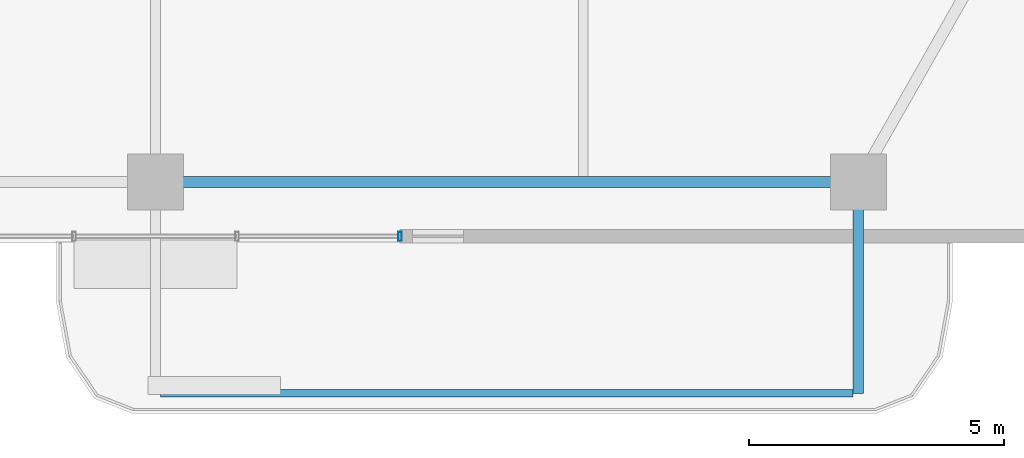
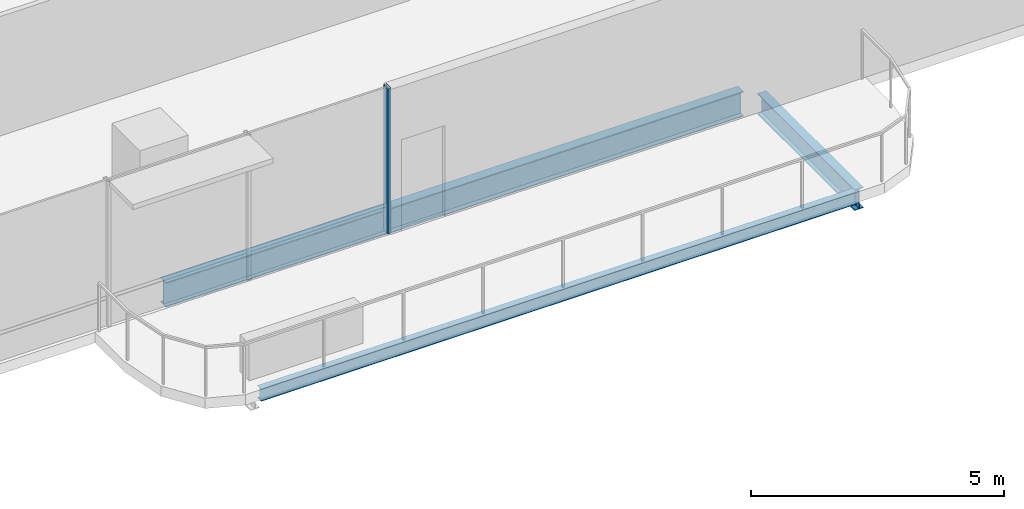
# One storey, part 6 of 24: 3 beams, 1 member, 1 element without a shape of its own.
"""IFC4 building model written with IfcOpenShell, lengths in metres."""

from ifc_helpers import new_model, si_unit, direction, frame, origin, origin_2d, place, context, subcontext, project, spatial, hollow_rectangle, i_section, extrude, material, layer, layer_set, material_profile, profile_set, type_object, element, aggregate, save


model = new_model("IFC4")

# Units and contexts
model_context = context("Model", 3, precision=1e-05, world=origin(), true_north=direction((0.0, 1.0)))
body_context = subcontext(model_context, "Body", "Model", "MODEL_VIEW")
ifc_project = project(units=[si_unit("LENGTHUNIT", "METRE"), si_unit("AREAUNIT", "SQUARE_METRE"), si_unit("VOLUMEUNIT", "CUBIC_METRE"), si_unit("PLANEANGLEUNIT", "RADIAN"), si_unit("MASSUNIT", "GRAM", prefix="KILO")], contexts=[model_context])

# Site, building, storey
site_placement = place(None, origin())
site = spatial("IfcSite", under=ifc_project, at=site_placement, CompositionType="ELEMENT")
building_placement = place(site_placement, origin())
building = spatial("IfcBuilding", under=site, at=building_placement, Name="Belovzor Exchange Tower", CompositionType="ELEMENT")
storey_placement = place(building_placement, frame((0.0, 0.0, 222.449951171875)))
storey = spatial("IfcBuildingStorey", under=building, at=storey_placement, Name="L55", CompositionType="ELEMENT", Elevation=222.449951171875)

# Beams
ifc_material_1 = material(Name="Steel S355", Category="steel")
ifc_material_profile_1 = material_profile(ifc_material_1, i_section(OverallWidth=0.199951171875, OverallDepth=0.5, WebThickness=0.01025390625, FlangeThickness=0.01611328125, at=origin_2d()))
ifc_profile_set_1 = profile_set([ifc_material_profile_1], Name="Steel S355")
beam_type_1 = type_object("IfcBeamType", Name="Planted Balcony Cantilever Beam IPE 500", PredefinedType="BEAM", material=ifc_profile_set_1)
beam_1_placement = place(storey_placement, frame((42.60009765625, 2.697021484375, -0.5), z_axis=(0.0, -1.0, 0.0), x_axis=(1.0, 0.0, 0.0)))
element("IfcBeam", 1, at=beam_1_placement, inside=storey, type_object=beam_type_1, Name="BC-500 Planted Balcony Cantilever Beam IPE 500", PredefinedType="BEAM", context=body_context, shape_type="SweptSolid", body=[
    extrude(i_section(OverallWidth=0.199951171875, OverallDepth=0.5, WebThickness=0.01025390625, FlangeThickness=0.01611328125, at=origin_2d()), origin(), (0.0, 0.0, 1.0), 3.85009765625),
])
ifc_material_2 = material(Name="Steel S355", Category="steel")
ifc_material_profile_2 = material_profile(ifc_material_2, i_section(OverallWidth=0.14990234375, OverallDepth=0.300048828125, WebThickness=0.007080078125, FlangeThickness=0.0107421875, at=origin_2d()))
ifc_profile_set_2 = profile_set([ifc_material_profile_2], Name="Steel S355")
beam_type_2 = type_object("IfcBeamType", Name="Planted Balcony Fascia Edge Beam IPE 300", PredefinedType="BEAM", material=ifc_profile_set_2)
beam_2_placement = place(storey_placement, frame((28.89990234375, -1.153076171875, -0.39990234375), z_axis=(1.0, 0.0, 0.0), x_axis=(0.0, 1.0, 0.0)))
element("IfcBeam", 2, at=beam_2_placement, inside=storey, type_object=beam_type_2, Name="BC-300 Planted Balcony Fascia Edge Beam IPE 300", PredefinedType="BEAM", context=body_context, shape_type="SweptSolid", body=[
    extrude(i_section(OverallWidth=0.14990234375, OverallDepth=0.300048828125, WebThickness=0.007080078125, FlangeThickness=0.0107421875, at=origin_2d()), origin(), (0.0, 0.0, 1.0), 13.60009765625),
])

# Curtain wall, member
ifc_material_3 = material(Name="Anodised Aluminium Framing", Category="aluminium")
ifc_layer = layer(ifc_material_3, 0.179931640625)
ifc_layer_set = layer_set([ifc_layer], Name="Anodised Aluminium Framing")
curtain_wall_type = type_object("IfcCurtainWallType", Name="Recessed Loggia Low-Iron Triple-Glazed Curtain Wall", PredefinedType="NOTDEFINED", material=ifc_layer_set)
curtain_wall_placement = place(storey_placement, origin())
curtain_wall = element("IfcCurtainWall", 3, at=curtain_wall_placement, inside=storey, type_object=curtain_wall_type, Name="CW3 Recessed Loggia Low-Iron Triple-Glazed Curtain Wall L55", PredefinedType="NOTDEFINED")
ifc_material_4 = material(Name="Steel S355", Category="steel")
ifc_material_profile_3 = material_profile(ifc_material_4, hollow_rectangle(XDim=0.074951171875, YDim=0.179931640625, WallThickness=0.0048828125, at=origin_2d()))
ifc_profile_set_3 = profile_set([ifc_material_profile_3], Name="Steel S355")
member_type = type_object("IfcMemberType", Name="Thermally Broken Curtain Wall Mullion 180x75", PredefinedType="MULLION", material=ifc_profile_set_3)
member_placement = place(storey_placement, frame((33.60009765625, 1.929931640625, 0.0), z_axis=(0.0, 0.0, 1.0), x_axis=(-1.0, 0.0, 0.0)))
member = element("IfcMember", 4, at=member_placement, type_object=member_type, Name="CW-M180 Curtain Wall Mullion 1", PredefinedType="MULLION", context=body_context, shape_type="SweptSolid", body=[
    extrude(hollow_rectangle(XDim=0.074951171875, YDim=0.179931640625, WallThickness=0.0048828125, at=origin_2d()), origin(), (0.0, 0.0, 1.0), 3.5),
])
aggregate(curtain_wall, [member])

# Beam
ifc_material_5 = material(Name="Steel S355", Category="steel")
ifc_material_profile_4 = material_profile(ifc_material_5, i_section(OverallWidth=0.219970703125, OverallDepth=0.60009765625, WebThickness=0.011962890625, FlangeThickness=0.01904296875, at=origin_2d()))
ifc_profile_set_4 = profile_set([ifc_material_profile_4], Name="Steel S355")
beam_type_3 = type_object("IfcBeamType", Name="Zone 4 Flare Primary Girder IPE 600", PredefinedType="BEAM", material=ifc_profile_set_4)
beam_3_placement = place(storey_placement, frame((29.10205078125, 3.0, -0.550048828125), z_axis=(1.0, 0.0, 0.0), x_axis=(0.0, 1.0, 0.0)))
element("IfcBeam", 5, at=beam_3_placement, inside=storey, type_object=beam_type_3, Name="FG-Z4 Zone 4 Flare Primary Girder IPE 600", PredefinedType="BEAM", context=body_context, shape_type="SweptSolid", body=[
    extrude(i_section(OverallWidth=0.219970703125, OverallDepth=0.60009765625, WebThickness=0.011962890625, FlangeThickness=0.01904296875, at=origin_2d()), origin(), (0.0, 0.0, 1.0), 13.195068359375),
])

save(model, "model.ifc")
